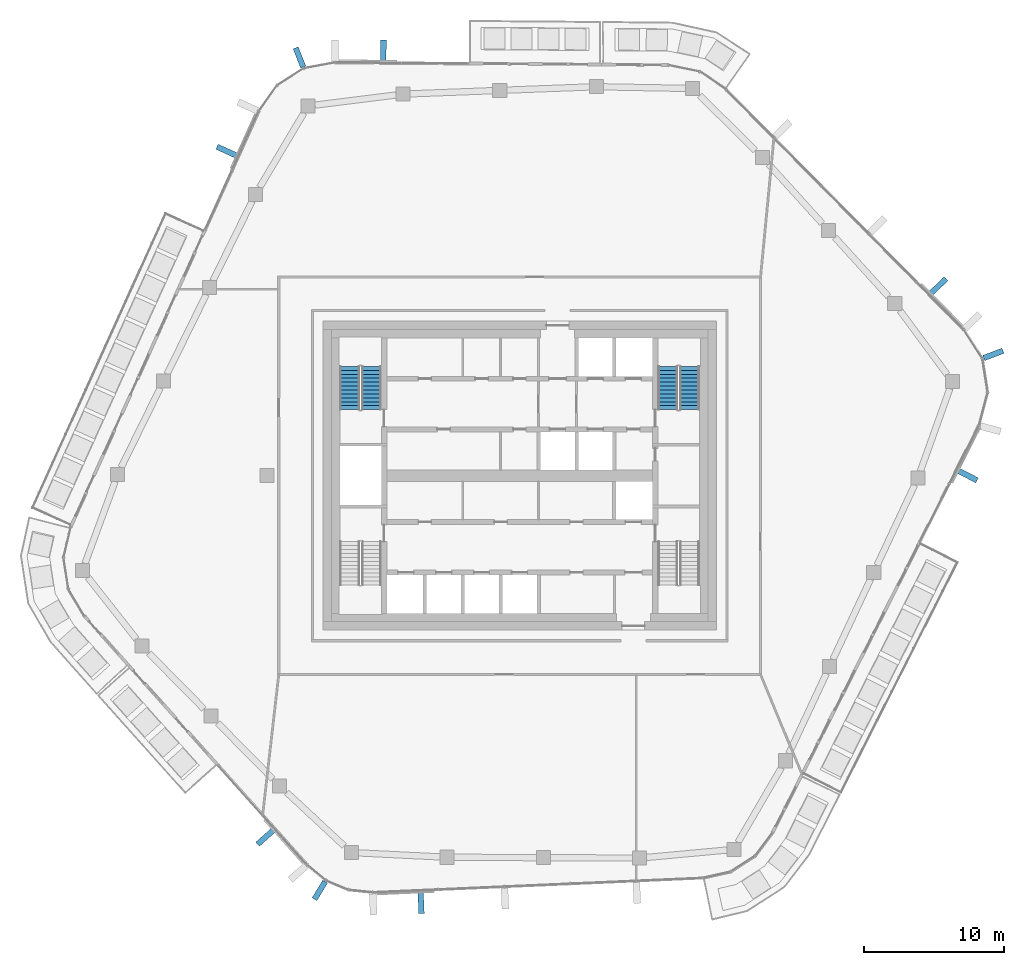
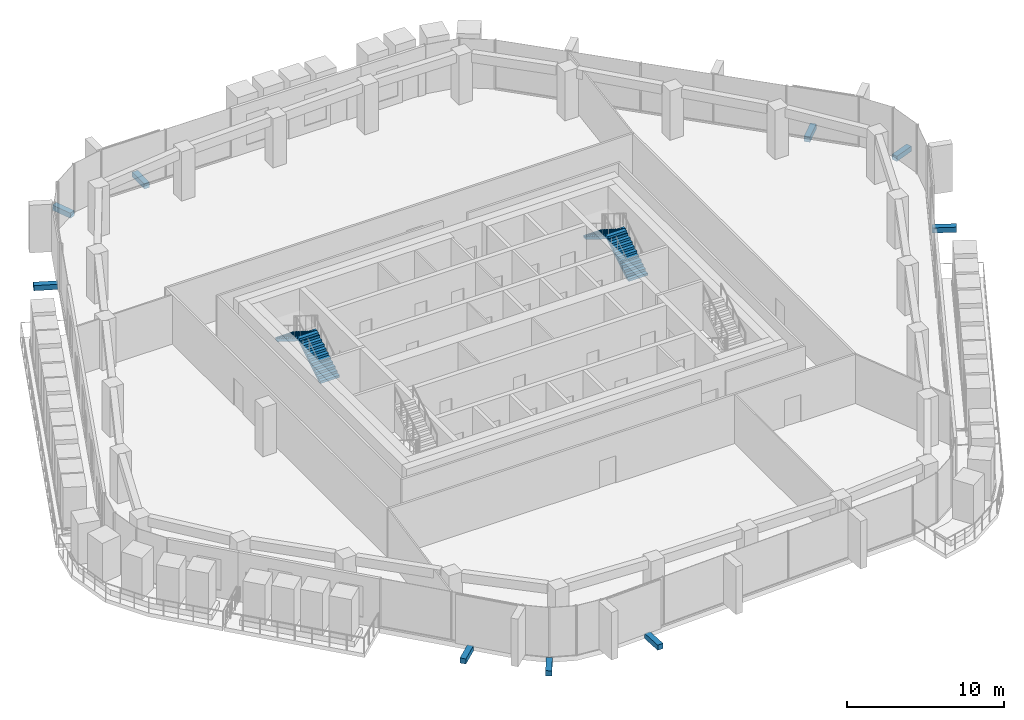
# One storey, part 16 of 23: 9 discrete accessories, 4 stair flights, 2 elements without a shape of their own.
"""IFC4 building model written with IfcOpenShell, lengths in metres."""

from ifc_helpers import new_model, si_unit, direction, frame, origin, origin_2d, place, context, subcontext, project, spatial, polyline, rectangle, outline, extrude, material, layer, layer_set, type_object, element, aggregate, save


model = new_model("IFC4")

# Units and contexts
model_context = context("Model", 3, precision=1e-05, world=origin(), true_north=direction((0.0, 1.0)))
body_context = subcontext(model_context, "Body", "Model", "MODEL_VIEW")
ifc_project = project(units=[si_unit("LENGTHUNIT", "METRE"), si_unit("AREAUNIT", "SQUARE_METRE"), si_unit("VOLUMEUNIT", "CUBIC_METRE"), si_unit("PLANEANGLEUNIT", "RADIAN"), si_unit("MASSUNIT", "GRAM", prefix="KILO")], contexts=[model_context])

# Site, building, storey
site_placement = place(None, origin())
site = spatial("IfcSite", under=ifc_project, at=site_placement, CompositionType="ELEMENT")
building_placement = place(site_placement, origin())
building = spatial("IfcBuilding", under=site, at=building_placement, Name="Dongbaek Canopy Tower", CompositionType="ELEMENT")
storey_placement = place(building_placement, frame((0.0, 0.0, 323.60009765625)))
storey = spatial("IfcBuildingStorey", under=building, at=storey_placement, Name="L69", CompositionType="ELEMENT", Elevation=323.60009765625)

# Stair, stair flights
ifc_material_1 = material(Name="Concrete C40/50", Category="concrete")
stair_type = type_object("IfcStairType", Name="Core exit stair", PredefinedType="HALF_TURN_STAIR", material=ifc_material_1)
stair_1_placement = place(storey_placement, origin())
stair_1 = element("IfcStair", 1, at=stair_1_placement, inside=storey, type_object=stair_type, Name="L69 exit stair A", PredefinedType="HALF_TURN_STAIR")
ifc_material_2 = material(Name="Concrete C40/50", Category="concrete")
ifc_layer = layer(ifc_material_2, 0.14990234375)
ifc_layer_set = layer_set([ifc_layer], Name="Core stair flight 150 waist")
stair_flight_type = type_object("IfcStairFlightType", Name="Core stair flight 150 waist", PredefinedType="STRAIGHT", material=ifc_layer_set)
stair_flight_1_placement = place(storey_placement, frame((12.10009765625, 4.699951171875, 0.0), z_axis=(0.0, 0.0, 1.0), x_axis=(0.0, 1.0, 0.0)))
stair_flight_1 = element("IfcStairFlight", 2, at=stair_flight_1_placement, type_object=stair_flight_type, Name="ST-A flight 1", NumberOfRisers=12, NumberOfTreads=11, PredefinedType="STRAIGHT", RiserHeight=0.175, TreadLength=0.28, context=body_context, shape_type="SweptSolid", body=[
    extrude(outline(polyline([(0.0, 0.0), (0.0, 0.175048828125), (0.280029296875, 0.175048828125), (0.280029296875, 0.35009765625), (0.56005859375, 0.35009765625), (0.56005859375, 0.52490234375), (0.840087890625, 0.52490234375), (0.840087890625, 0.699951171875), (1.1201171875, 0.699951171875), (1.1201171875, 0.875), (1.39990234375, 0.875), (1.39990234375, 1.050048828125), (1.679931640625, 1.050048828125), (1.679931640625, 1.22509765625), (1.9599609375, 1.22509765625), (1.9599609375, 1.39990234375), (2.239990234375, 1.39990234375), (2.239990234375, 1.574951171875), (2.52001953125, 1.574951171875), (2.52001953125, 1.75), (2.800048828125, 1.75), (2.800048828125, 1.925048828125), (3.080078125, 1.925048828125), (3.080078125, 2.10009765625), (3.080078125, 1.748291015625), (0.28271484375, 0.0), (0.0, 0.0)])), frame((0.0, 0.699951171875, 0.0), z_axis=(0.0, -1.0, 0.0), x_axis=(1.0, 0.0, 0.0)), (0.0, 0.0, 1.0), 1.39990234375),
])
stair_flight_2_placement = place(storey_placement, frame((10.550048828125, 7.780029296875, 2.099853515625), z_axis=(0.0, 0.0, 1.0), x_axis=(0.0, -1.0, 0.0)))
stair_flight_2 = element("IfcStairFlight", 3, at=stair_flight_2_placement, type_object=stair_flight_type, Name="ST-A flight 2", NumberOfRisers=12, NumberOfTreads=11, PredefinedType="STRAIGHT", RiserHeight=0.175, TreadLength=0.28, context=body_context, shape_type="SweptSolid", body=[
    extrude(outline(polyline([(0.0, 0.0), (0.0, 0.175048828125), (0.280029296875, 0.175048828125), (0.280029296875, 0.35009765625), (0.56005859375, 0.35009765625), (0.56005859375, 0.52490234375), (0.840087890625, 0.52490234375), (0.840087890625, 0.699951171875), (1.1201171875, 0.699951171875), (1.1201171875, 0.875), (1.39990234375, 0.875), (1.39990234375, 1.050048828125), (1.679931640625, 1.050048828125), (1.679931640625, 1.22509765625), (1.9599609375, 1.22509765625), (1.9599609375, 1.39990234375), (2.239990234375, 1.39990234375), (2.239990234375, 1.574951171875), (2.52001953125, 1.574951171875), (2.52001953125, 1.75), (2.800048828125, 1.75), (2.800048828125, 1.925048828125), (3.080078125, 1.925048828125), (3.080078125, 2.10009765625), (3.080078125, 1.748291015625), (0.28271484375, 0.0), (0.0, 0.0)])), frame((0.0, 0.699951171875, 0.0), z_axis=(0.0, -1.0, 0.0), x_axis=(1.0, 0.0, 0.0)), (0.0, 0.0, 1.0), 1.39990234375),
])
aggregate(stair_1, [stair_flight_1, stair_flight_2])

stair_2_placement = place(storey_placement, origin())
stair_2 = element("IfcStair", 4, at=stair_2_placement, inside=storey, type_object=stair_type, Name="L69 exit stair C", PredefinedType="HALF_TURN_STAIR")
stair_flight_3_placement = place(storey_placement, frame((-10.550048828125, 4.699951171875, 0.0), z_axis=(0.0, 0.0, 1.0), x_axis=(0.0, 1.0, 0.0)))
stair_flight_3 = element("IfcStairFlight", 5, at=stair_flight_3_placement, type_object=stair_flight_type, Name="ST-C flight 1", NumberOfRisers=12, NumberOfTreads=11, PredefinedType="STRAIGHT", RiserHeight=0.175, TreadLength=0.28, context=body_context, shape_type="SweptSolid", body=[
    extrude(outline(polyline([(0.0, 0.0), (0.0, 0.175048828125), (0.280029296875, 0.175048828125), (0.280029296875, 0.35009765625), (0.56005859375, 0.35009765625), (0.56005859375, 0.52490234375), (0.840087890625, 0.52490234375), (0.840087890625, 0.699951171875), (1.1201171875, 0.699951171875), (1.1201171875, 0.875), (1.39990234375, 0.875), (1.39990234375, 1.050048828125), (1.679931640625, 1.050048828125), (1.679931640625, 1.22509765625), (1.9599609375, 1.22509765625), (1.9599609375, 1.39990234375), (2.239990234375, 1.39990234375), (2.239990234375, 1.574951171875), (2.52001953125, 1.574951171875), (2.52001953125, 1.75), (2.800048828125, 1.75), (2.800048828125, 1.925048828125), (3.080078125, 1.925048828125), (3.080078125, 2.10009765625), (3.080078125, 1.748291015625), (0.28271484375, 0.0), (0.0, 0.0)])), frame((0.0, 0.699951171875, 0.0), z_axis=(0.0, -1.0, 0.0), x_axis=(1.0, 0.0, 0.0)), (0.0, 0.0, 1.0), 1.39990234375),
])
stair_flight_4_placement = place(storey_placement, frame((-12.10009765625, 7.780029296875, 2.099853515625), z_axis=(0.0, 0.0, 1.0), x_axis=(0.0, -1.0, 0.0)))
stair_flight_4 = element("IfcStairFlight", 6, at=stair_flight_4_placement, type_object=stair_flight_type, Name="ST-C flight 2", NumberOfRisers=12, NumberOfTreads=11, PredefinedType="STRAIGHT", RiserHeight=0.175, TreadLength=0.28, context=body_context, shape_type="SweptSolid", body=[
    extrude(outline(polyline([(0.0, 0.0), (0.0, 0.175048828125), (0.280029296875, 0.175048828125), (0.280029296875, 0.35009765625), (0.56005859375, 0.35009765625), (0.56005859375, 0.52490234375), (0.840087890625, 0.52490234375), (0.840087890625, 0.699951171875), (1.1201171875, 0.699951171875), (1.1201171875, 0.875), (1.39990234375, 0.875), (1.39990234375, 1.050048828125), (1.679931640625, 1.050048828125), (1.679931640625, 1.22509765625), (1.9599609375, 1.22509765625), (1.9599609375, 1.39990234375), (2.239990234375, 1.39990234375), (2.239990234375, 1.574951171875), (2.52001953125, 1.574951171875), (2.52001953125, 1.75), (2.800048828125, 1.75), (2.800048828125, 1.925048828125), (3.080078125, 1.925048828125), (3.080078125, 2.10009765625), (3.080078125, 1.748291015625), (0.28271484375, 0.0), (0.0, 0.0)])), frame((0.0, 0.699951171875, 0.0), z_axis=(0.0, -1.0, 0.0), x_axis=(1.0, 0.0, 0.0)), (0.0, 0.0, 1.0), 1.39990234375),
])
aggregate(stair_2, [stair_flight_3, stair_flight_4])

# Discrete accessories
ifc_material_3 = material(Name="Galvanised steel S355 bracket", Category="steel")
discrete_accessory_type = type_object("IfcDiscreteAccessoryType", Name="Crease fin bracket BR3 400", PredefinedType="BRACKET", material=ifc_material_3)
discrete_accessory_1_placement = place(storey_placement, frame((31.876708984375, 0.016845703125, -0.39013671875), z_axis=(0.0, 0.0, 1.0), x_axis=(0.892033512775, -0.451969260113, 0.0)))
element("IfcDiscreteAccessory", 7, at=discrete_accessory_1_placement, inside=storey, type_object=discrete_accessory_type, Name="Crease fin bracket L69 F5", PredefinedType="BRACKET", context=body_context, shape_type="SweptSolid", body=[
    extrude(rectangle(XDim=1.55908203125, YDim=0.39990234375, at=origin_2d()), origin(), (0.0, 0.0, 1.0), 0.39990234375),
])
discrete_accessory_2_placement = place(storey_placement, frame((29.7919921875, 13.476318359375, -0.39013671875), z_axis=(0.0, 0.0, 1.0), x_axis=(0.711035143787, 0.703156472132, 0.0)))
element("IfcDiscreteAccessory", 8, at=discrete_accessory_2_placement, inside=storey, type_object=discrete_accessory_type, Name="Crease fin bracket L69 F0", PredefinedType="BRACKET", context=body_context, shape_type="SweptSolid", body=[
    extrude(rectangle(XDim=1.53955078125, YDim=0.39990234375, at=origin_2d()), origin(), (0.0, 0.0, 1.0), 0.39990234375),
])
discrete_accessory_3_placement = place(storey_placement, frame((-9.698974609375, 30.2587890625, -0.39013671875), z_axis=(0.0, 0.0, 1.0), x_axis=(0.007782344576, 0.999969717098, 0.0)))
element("IfcDiscreteAccessory", 9, at=discrete_accessory_3_placement, inside=storey, type_object=discrete_accessory_type, Name="Crease fin bracket L69 F1", PredefinedType="BRACKET", context=body_context, shape_type="SweptSolid", body=[
    extrude(rectangle(XDim=1.54150390625, YDim=0.39990234375, at=origin_2d()), origin(), (0.0, 0.0, 1.0), 0.39990234375),
])
discrete_accessory_4_placement = place(storey_placement, frame((-20.8349609375, 23.092529296875, -0.39013671875), z_axis=(0.0, 0.0, 1.0), x_axis=(-0.911128710978, 0.41212191404, 0.0)))
element("IfcDiscreteAccessory", 10, at=discrete_accessory_4_placement, inside=storey, type_object=discrete_accessory_type, Name="Crease fin bracket L69 F2", PredefinedType="BRACKET", context=body_context, shape_type="SweptSolid", body=[
    extrude(rectangle(XDim=1.563720703125, YDim=0.39990234375, at=origin_2d()), origin(), (0.0, 0.0, 1.0), 0.39990234375),
])
discrete_accessory_5_placement = place(storey_placement, frame((-18.079833984375, -25.724853515625, -0.39013671875), z_axis=(0.0, 0.0, 1.0), x_axis=(-0.74516531268, -0.666879791851, 0.0)))
element("IfcDiscreteAccessory", 11, at=discrete_accessory_5_placement, inside=storey, type_object=discrete_accessory_type, Name="Crease fin bracket L69 F3", PredefinedType="BRACKET", context=body_context, shape_type="SweptSolid", body=[
    extrude(rectangle(XDim=1.552001953125, YDim=0.39990234375, at=origin_2d()), origin(), (0.0, 0.0, 1.0), 0.39990234375),
])
discrete_accessory_6_placement = place(storey_placement, frame((-7.020263671875, -30.393310546875, -0.39013671875), z_axis=(0.0, 0.0, 1.0), x_axis=(0.043572308279, -0.999050275988, 0.0)))
element("IfcDiscreteAccessory", 12, at=discrete_accessory_6_placement, inside=storey, type_object=discrete_accessory_type, Name="Crease fin bracket L69 F4", PredefinedType="BRACKET", context=body_context, shape_type="SweptSolid", body=[
    extrude(rectangle(XDim=1.54931640625, YDim=0.39990234375, at=origin_2d()), origin(), (0.0, 0.0, 1.0), 0.39990234375),
])
for number, where, z_axis, x_axis, name in (
    (13, (33.7236328125, 8.63330078125, -0.39013671875), (0.0, 0.0, 1.0), (0.93463651149, 0.355604543544, 0.0), "Corner fin bracket L69 K0"),
    (14, (-15.6787109375, 29.777587890625, -0.39013671875), (0.0, 0.0, 1.0), (-0.367962270469, 0.929840721582, 0.0), "Corner fin bracket L69 K2"),
    (15, (-14.2294921875, -29.52978515625, -0.39013671875), (0.0, 0.0, 1.0), (-0.519267057557, -0.854612030652, 0.0), "Corner fin bracket L69 K4"),
):
    element("IfcDiscreteAccessory", number, at=place(storey_placement, frame(where, z_axis=z_axis, x_axis=x_axis)), inside=storey, type_object=discrete_accessory_type, Name=name, PredefinedType="BRACKET", context=body_context, shape_type="SweptSolid", body=[
        extrude(rectangle(XDim=1.469970703125, YDim=0.39990234375, at=origin_2d()), origin(), (0.0, 0.0, 1.0), 0.39990234375),
    ])

save(model, "model.ifc")
